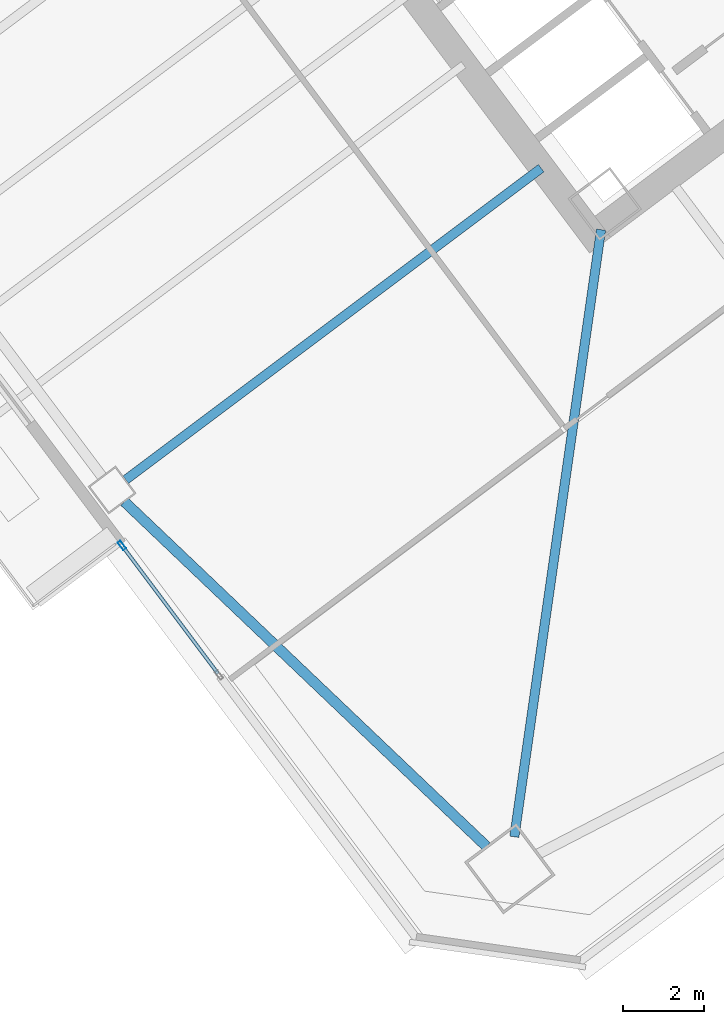
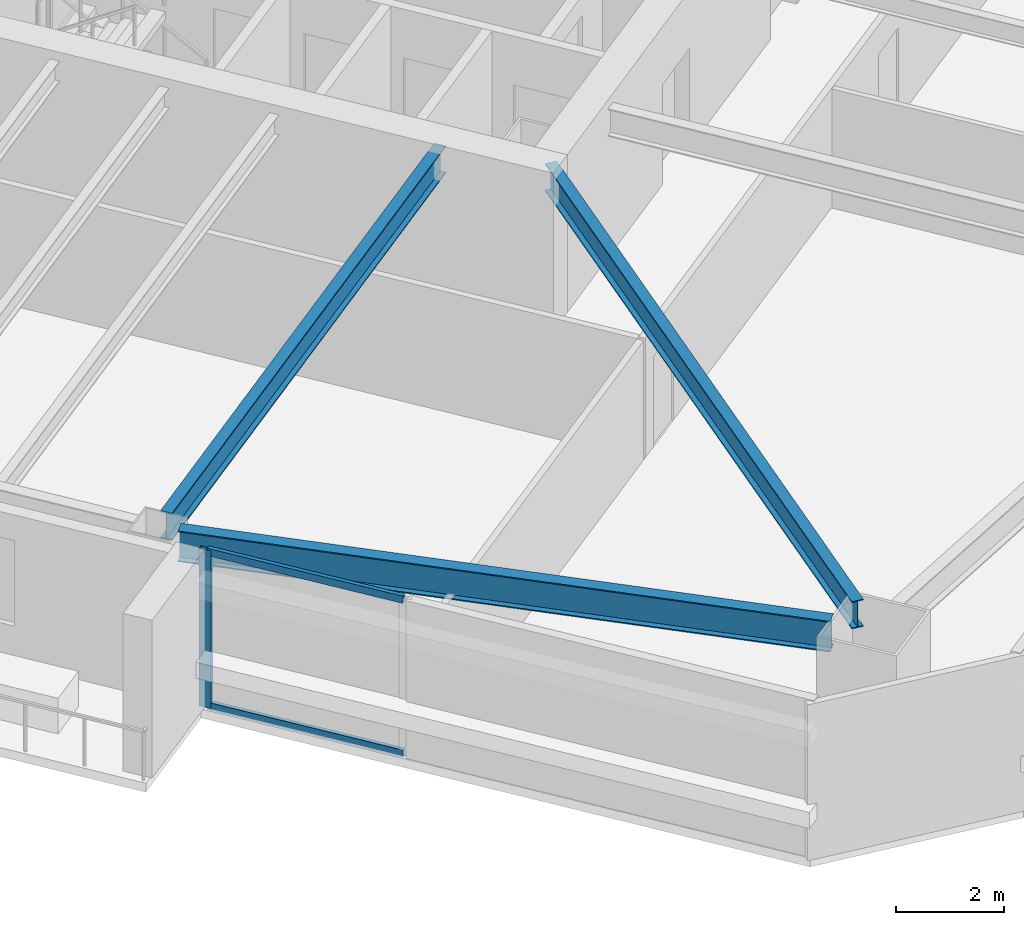
# One storey, part 20 of 48: 3 beams, 3 members, 1 element without a shape of its own.
"""IFC4 building model written with IfcOpenShell, lengths in metres."""

from ifc_helpers import new_model, si_unit, direction, frame, origin, origin_2d, place, context, subcontext, project, spatial, hollow_rectangle, i_section, extrude, material, material_profile, profile_set, type_object, element, aggregate, save


model = new_model("IFC4")

# Units and contexts
model_context = context("Model", 3, precision=1e-05, world=origin(), true_north=direction((0.0, 1.0)))
body_context = subcontext(model_context, "Body", "Model", "MODEL_VIEW")
ifc_project = project(units=[si_unit("LENGTHUNIT", "METRE"), si_unit("AREAUNIT", "SQUARE_METRE"), si_unit("VOLUMEUNIT", "CUBIC_METRE"), si_unit("PLANEANGLEUNIT", "RADIAN"), si_unit("MASSUNIT", "GRAM", prefix="KILO")], contexts=[model_context])

# Site, building, storey
site_placement = place(None, origin())
site = spatial("IfcSite", under=ifc_project, at=site_placement, CompositionType="ELEMENT")
building_placement = place(site_placement, origin())
building = spatial("IfcBuilding", under=site, at=building_placement, Name="Tashvorn Skyway Center", CompositionType="ELEMENT")
storey_placement = place(building_placement, frame((0.0, 0.0, 56.550048828125)))
storey = spatial("IfcBuildingStorey", under=building, at=storey_placement, Name="L14", CompositionType="ELEMENT", Elevation=56.550048828125)

# Beams
ifc_material_1 = material(Name="Steel ASTM A992 Grade 50", Category="steel")
ifc_material_profile_1 = material_profile(ifc_material_1, i_section(OverallWidth=0.22998046875, OverallDepth=0.616943359375, WebThickness=0.01318359375, FlangeThickness=0.022216796875, at=origin_2d()), Name="W24X94")
ifc_profile_set_1 = profile_set([ifc_material_profile_1], Name="Steel ASTM A992 Grade 50")
beam_type_1 = type_object("IfcBeamType", Name="BM-BEAM-W24X94", PredefinedType="BEAM", material=ifc_profile_set_1)
beam_1_placement = place(storey_placement, frame((110.3525390625, 6.467041015625, 3.04150390625), z_axis=(0.141414599991, 0.989950458816, 0.0), x_axis=(-0.989950458816, 0.141414599991, 0.0)))
element("IfcBeam", 1, at=beam_1_placement, inside=storey, type_object=beam_type_1, Name="Tower 2 L14 Primary Floor Girder MC-SW", PredefinedType="BEAM", context=body_context, shape_type="SweptSolid", body=[
    extrude(i_section(OverallWidth=0.22998046875, OverallDepth=0.616943359375, WebThickness=0.01318359375, FlangeThickness=0.022216796875, at=origin_2d()), origin(), (0.0, 0.0, 1.0), 15.177001953125),
])
beam_2_placement = place(storey_placement, frame((100.736083984375, 15.302001953125, 3.04150390625), z_axis=(0.800002279907, 0.599996960112, 0.0), x_axis=(-0.599996960112, 0.800002279907, 0.0)))
element("IfcBeam", 2, at=beam_2_placement, inside=storey, type_object=beam_type_1, Name="Tower 2 L14 Primary Floor Girder FC-W2", PredefinedType="BEAM", context=body_context, shape_type="SweptSolid", body=[
    extrude(i_section(OverallWidth=0.22998046875, OverallDepth=0.616943359375, WebThickness=0.01318359375, FlangeThickness=0.022216796875, at=origin_2d()), origin(), (0.0, 0.0, 1.0), 12.85009765625),
])
ifc_material_profile_2 = material_profile(ifc_material_1, i_section(OverallWidth=0.256103515625, OverallDepth=0.693115234375, WebThickness=0.014404296875, FlangeThickness=0.023681640625, at=origin_2d()), Name="W27X114")
ifc_profile_set_2 = profile_set([ifc_material_profile_2], Name="Steel ASTM A992 Grade 50")
beam_type_2 = type_object("IfcBeamType", Name="BM-SPANDREL-W27X114", PredefinedType="SPANDREL", material=ifc_profile_set_2)
beam_3_placement = place(storey_placement, frame((100.7041015625, 14.76025390625, 3.00341796875), z_axis=(0.724200339835, -0.689589637236, 0.0), x_axis=(0.689589637236, 0.724200339835, 0.0)))
element("IfcBeam", 3, at=beam_3_placement, inside=storey, type_object=beam_type_2, Name="Tower 2 L14 Spandrel Beam 12", PredefinedType="SPANDREL", context=body_context, shape_type="SweptSolid", body=[
    extrude(i_section(OverallWidth=0.256103515625, OverallDepth=0.693115234375, WebThickness=0.014404296875, FlangeThickness=0.023681640625, at=origin_2d()), origin(), (0.0, 0.0, 1.0), 12.37255859375),
])

# Curtain wall, members
ifc_material_2 = material(Name="Thermally broken bronze-anodized aluminium 6063-T6", Category="aluminium")
curtain_wall_type = type_object("IfcCurtainWallType", Name="CW-CW-Z1", PredefinedType="NOTDEFINED", material=ifc_material_2)
curtain_wall_placement = place(storey_placement, origin())
curtain_wall = element("IfcCurtainWall", 4, at=curtain_wall_placement, inside=storey, type_object=curtain_wall_type, Name="Tower 2 L14 West Curtain Wall L Glazing Group 1", PredefinedType="NOTDEFINED")
ifc_material_profile_3 = material_profile(ifc_material_2, hollow_rectangle(XDim=0.0849609375, YDim=0.239990234375, WallThickness=0.0048828125, at=origin_2d()), Name="ALU-MULL-85x240")
ifc_profile_set_3 = profile_set([ifc_material_profile_3], Name="Thermally broken bronze-anodized aluminium 6063-T6")
member_type_1 = type_object("IfcMemberType", Name="CWM-CW-Z1", PredefinedType="MULLION", material=ifc_profile_set_3)
member_1_placement = place(storey_placement, frame((100.6416015625, 13.677978515625, 0.0), z_axis=(0.0, 0.0, 1.0), x_axis=(-0.800002931566, -0.599996091225, 0.0)))
member_1 = element("IfcMember", 5, at=member_1_placement, type_object=member_type_1, Name="CW-Z1 mullion 2", PredefinedType="MULLION", context=body_context, shape_type="SweptSolid", body=[
    extrude(hollow_rectangle(XDim=0.0849609375, YDim=0.239990234375, WallThickness=0.0048828125, at=origin_2d()), origin(), (0.0, 0.0, 1.0), 3.550048828125),
])
ifc_material_profile_4 = material_profile(ifc_material_2, hollow_rectangle(XDim=0.0849609375, YDim=0.1650390625, WallThickness=0.0048828125, at=origin_2d()), Name="ALU-TRAN-85x165")
ifc_profile_set_4 = profile_set([ifc_material_profile_4], Name="Thermally broken bronze-anodized aluminium 6063-T6")
member_type_2 = type_object("IfcMemberType", Name="CWT-CW-Z1", PredefinedType="USERDEFINED", material=ifc_profile_set_4)
member_2_placement = place(storey_placement, frame((103.02099609375, 10.50537109375, 0.04248046875), z_axis=(-0.6, 0.8, 0.0), x_axis=(-0.8, -0.6, 0.0)))
member_2 = element("IfcMember", 6, at=member_2_placement, type_object=member_type_2, Name="CW-Z1 transom 1.1", ObjectType="TRANSOM", PredefinedType="USERDEFINED", context=body_context, shape_type="SweptSolid", body=[
    extrude(hollow_rectangle(XDim=0.0849609375, YDim=0.1650390625, WallThickness=0.0048828125, at=origin_2d()), origin(), (0.0, 0.0, 1.0), 3.92333984375),
])
member_3_placement = place(storey_placement, frame((103.02099609375, 10.50537109375, 3.507568359375), z_axis=(-0.6, 0.8, 0.0), x_axis=(-0.8, -0.6, 0.0)))
member_3 = element("IfcMember", 7, at=member_3_placement, type_object=member_type_2, Name="CW-Z1 transom 1.2", ObjectType="TRANSOM", PredefinedType="USERDEFINED", context=body_context, shape_type="SweptSolid", body=[
    extrude(hollow_rectangle(XDim=0.0849609375, YDim=0.1650390625, WallThickness=0.0048828125, at=origin_2d()), origin(), (0.0, 0.0, 1.0), 3.92333984375),
])
aggregate(curtain_wall, [member_1, member_2, member_3])

save(model, "model.ifc")
